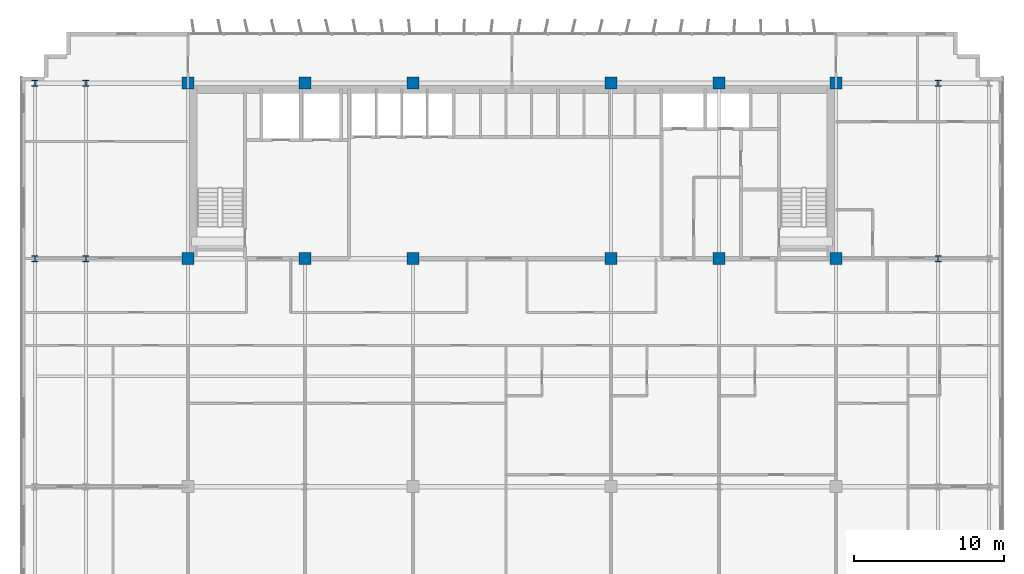
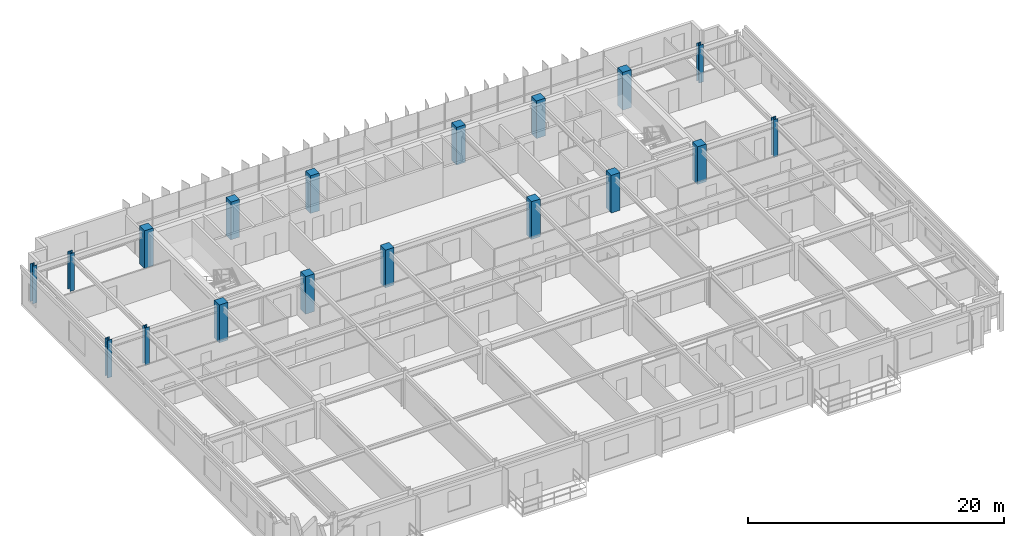
# One storey, part 2 of 22: 18 columns.
"""IFC4 building model written with IfcOpenShell, lengths in metres."""

from ifc_helpers import new_model, si_unit, direction, frame, origin, origin_2d, place, context, subcontext, project, spatial, rectangle, i_section, extrude, source, transform, mapped, material, material_profile, profile_set, type_object, element, save


model = new_model("IFC4")

# Units and contexts
model_context = context("Model", 3, precision=1e-05, world=origin(), true_north=direction((0.0, 1.0)))
body_context = subcontext(model_context, "Body", "Model", "MODEL_VIEW")
ifc_project = project(units=[si_unit("LENGTHUNIT", "METRE"), si_unit("AREAUNIT", "SQUARE_METRE"), si_unit("VOLUMEUNIT", "CUBIC_METRE"), si_unit("PLANEANGLEUNIT", "RADIAN"), si_unit("MASSUNIT", "GRAM", prefix="KILO")], contexts=[model_context])

# Site, building, storey
site_placement = place(None, origin())
site = spatial("IfcSite", under=ifc_project, at=site_placement, CompositionType="ELEMENT")
building_placement = place(site_placement, origin())
building = spatial("IfcBuilding", under=site, at=building_placement, Name="Trelvane Seafront Commons", CompositionType="ELEMENT")
storey_placement = place(building_placement, frame((0.0, 0.0, 88.89990234375)))
storey = spatial("IfcBuildingStorey", under=building, at=storey_placement, Name="L22", CompositionType="ELEMENT", Elevation=88.89990234375)

# Columns
ifc_material_1 = material(Name="Steel SM355 (S355)", Category="steel")
ifc_material_profile_1 = material_profile(ifc_material_1, i_section(OverallWidth=0.39990234375, OverallDepth=0.39990234375, WebThickness=0.02197265625, FlangeThickness=0.034912109375, at=origin_2d()), Name="HD-400x400x22x35")
ifc_profile_set_1 = profile_set([ifc_material_profile_1], Name="Steel SM355 (S355)")
column_type_1 = type_object("IfcColumnType", Name="STR-COL-HD400", PredefinedType="COLUMN", material=ifc_profile_set_1)
shared_shape_1 = source(origin(), body_context, "Body", "SweptSolid", [
    extrude(i_section(OverallWidth=0.39990234375, OverallDepth=0.39990234375, WebThickness=0.02197265625, FlangeThickness=0.034912109375, at=origin_2d()), origin(), (0.0, 0.0, 1.0), 3.60009765625),
])
for number, where, z_axis, x_axis, name in (
    (1, (5.39990234375, 33.39990234375, 0.0), (0.0, 0.0, 1.0), (1.0, 0.0, 0.0), "L22 Column TC-CS5.4"),
    (2, (5.39990234375, 45.10009765625, 0.0), (0.0, 0.0, 1.0), (1.0, 0.0, 0.0), "L22 Column TC-CN5.4"),
    (3, (8.800048828125, 33.39990234375, 0.0), (0.0, 0.0, 1.0), (1.0, 0.0, 0.0), "L22 Column TC-CS8.8"),
    (4, (8.800048828125, 45.10009765625, 0.0), (0.0, 0.0, 1.0), (1.0, 0.0, 0.0), "L22 Column TC-CN8.8"),
    (5, (65.60009765625, 33.39990234375, 0.0), (0.0, 0.0, 1.0), (1.0, 0.0, 0.0), "L22 Column TC-CS65.6"),
    (6, (65.60009765625, 45.10009765625, 0.0), (0.0, 0.0, 1.0), (1.0, 0.0, 0.0), "L22 Column TC-CN65.6"),
):
    element("IfcColumn", number, at=place(storey_placement, frame(where, z_axis=z_axis, x_axis=x_axis)), inside=storey, type_object=column_type_1, Name=name, PredefinedType="COLUMN", context=body_context, shape_type="MappedRepresentation", body=[
        mapped(shared_shape_1, transform((0.0, 0.0, 0.0), x_axis=(1.0, 0.0, 0.0), y_axis=(0.0, 1.0, 0.0), z_axis=(0.0, 0.0, 1.0), scale=1.0)),
    ])
ifc_material_2 = material(Name="Concrete C60/75", Category="concrete")
ifc_material_profile_2 = material_profile(ifc_material_2, rectangle(XDim=0.800048828125, YDim=0.800048828125, at=origin_2d()), Name="RC-800x800")
ifc_profile_set_2 = profile_set([ifc_material_profile_2], Name="Concrete C60/75")
column_type_2 = type_object("IfcColumnType", Name="STR-COL-RC800", PredefinedType="COLUMN", material=ifc_profile_set_2)
shared_shape_2 = source(origin(), body_context, "Body", "SweptSolid", [
    extrude(rectangle(XDim=0.800048828125, YDim=0.800048828125, at=origin_2d()), origin(), (0.0, 0.0, 1.0), 3.60009765625),
])
for number, where, z_axis, x_axis, name in (
    (7, (15.60009765625, 33.39990234375, 0.0), (0.0, 0.0, 1.0), (1.0, 0.0, 0.0), "L22 Column TC-CS15.6"),
    (8, (15.60009765625, 45.10009765625, 0.0), (0.0, 0.0, 1.0), (1.0, 0.0, 0.0), "L22 Column TC-CN15.6"),
    (9, (23.39990234375, 33.39990234375, 0.0), (0.0, 0.0, 1.0), (1.0, 0.0, 0.0), "L22 Column TC-CS23.4"),
    (10, (23.39990234375, 45.10009765625, 0.0), (0.0, 0.0, 1.0), (1.0, 0.0, 0.0), "L22 Column TC-CN23.4"),
    (11, (30.60009765625, 33.39990234375, 0.0), (0.0, 0.0, 1.0), (1.0, 0.0, 0.0), "L22 Column TC-CS30.6"),
    (12, (30.60009765625, 45.10009765625, 0.0), (0.0, 0.0, 1.0), (1.0, 0.0, 0.0), "L22 Column TC-CN30.6"),
    (13, (43.800048828125, 33.39990234375, 0.0), (0.0, 0.0, 1.0), (1.0, 0.0, 0.0), "L22 Column TC-CS43.8"),
    (14, (43.800048828125, 45.10009765625, 0.0), (0.0, 0.0, 1.0), (1.0, 0.0, 0.0), "L22 Column TC-CN43.8"),
    (15, (51.0, 33.39990234375, 0.0), (0.0, 0.0, 1.0), (1.0, 0.0, 0.0), "L22 Column TC-CS51.0"),
    (16, (51.0, 45.10009765625, 0.0), (0.0, 0.0, 1.0), (1.0, 0.0, 0.0), "L22 Column TC-CN51.0"),
    (17, (58.800048828125, 33.39990234375, 0.0), (0.0, 0.0, 1.0), (1.0, 0.0, 0.0), "L22 Column TC-CS58.8"),
    (18, (58.800048828125, 45.10009765625, 0.0), (0.0, 0.0, 1.0), (1.0, 0.0, 0.0), "L22 Column TC-CN58.8"),
):
    element("IfcColumn", number, at=place(storey_placement, frame(where, z_axis=z_axis, x_axis=x_axis)), inside=storey, type_object=column_type_2, Name=name, PredefinedType="COLUMN", context=body_context, shape_type="MappedRepresentation", body=[
        mapped(shared_shape_2, transform((0.0, 0.0, 0.0), x_axis=(1.0, 0.0, 0.0), y_axis=(0.0, 1.0, 0.0), z_axis=(0.0, 0.0, 1.0), scale=1.0)),
    ])

save(model, "model.ifc")
